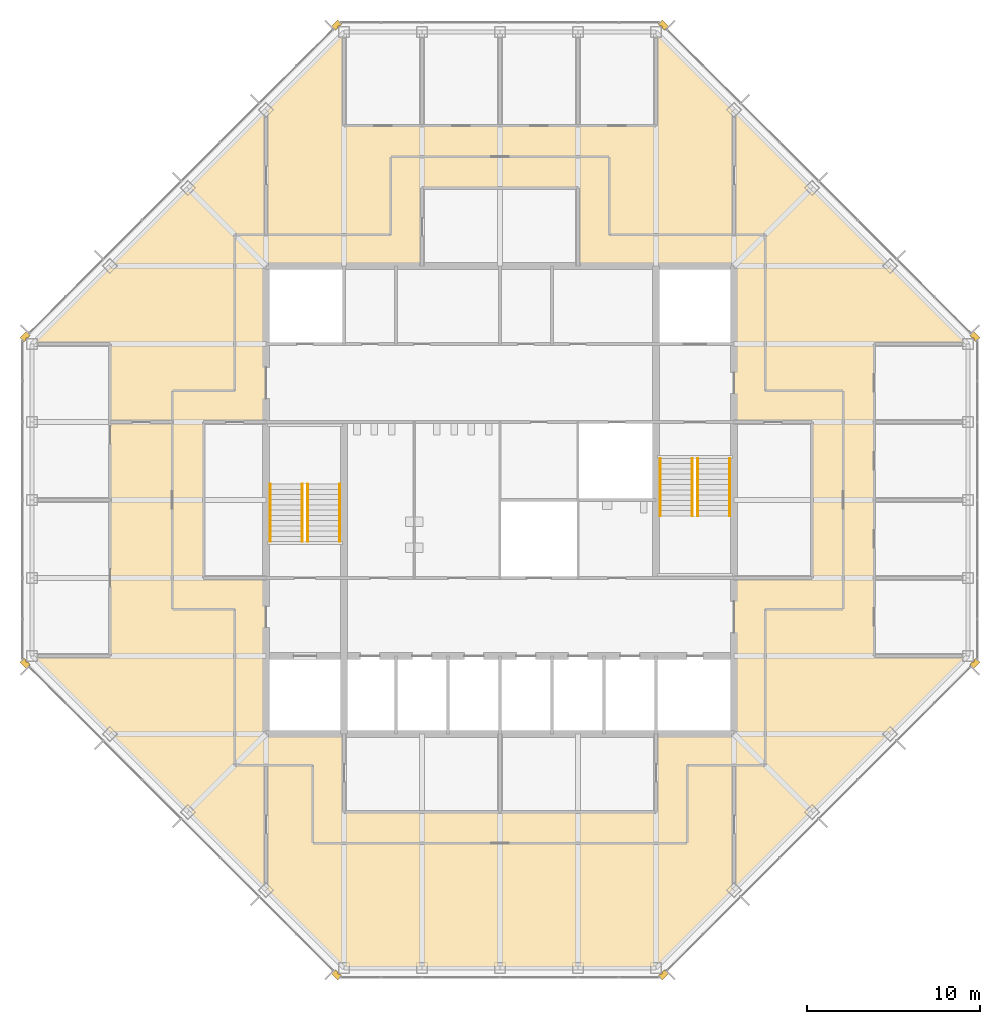
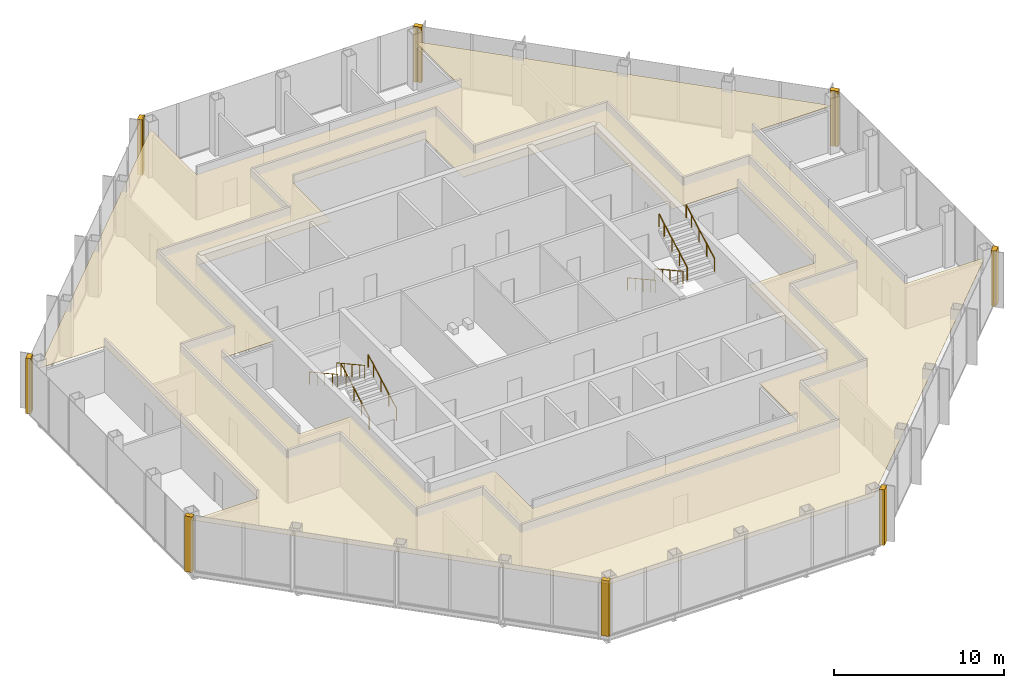
# One storey, part 13 of 14: 9 coverings, 8 railings.
"""IFC4 building model written with IfcOpenShell, lengths in metres."""

from ifc_helpers import new_model, si_unit, direction, frame, origin, origin_2d, place, context, subcontext, project, spatial, polyline, circle, outline, extrude, material, layer, layer_set, type_object, element, save


model = new_model("IFC4")

# Units and contexts
model_context = context("Model", 3, precision=1e-05, world=origin(), true_north=direction((0.0, 1.0)))
body_context = subcontext(model_context, "Body", "Model", "MODEL_VIEW")
ifc_project = project(units=[si_unit("LENGTHUNIT", "METRE"), si_unit("AREAUNIT", "SQUARE_METRE"), si_unit("VOLUMEUNIT", "CUBIC_METRE"), si_unit("PLANEANGLEUNIT", "RADIAN"), si_unit("MASSUNIT", "GRAM", prefix="KILO")], contexts=[model_context])

# Site, building, storey
site_placement = place(None, origin())
site = spatial("IfcSite", under=ifc_project, at=site_placement, CompositionType="ELEMENT")
building_placement = place(site_placement, origin())
building = spatial("IfcBuilding", under=site, at=building_placement, Name="Corais Broadcast Tower", CompositionType="ELEMENT")
storey_placement = place(building_placement, frame((0.0, 0.0, 218.60009765625)))
storey = spatial("IfcBuildingStorey", under=building, at=storey_placement, Name="L50", CompositionType="ELEMENT", Elevation=218.60009765625)

# Railings
ifc_material_1 = material(Name="Stainless steel handrail", Category="steel")
railing_type = type_object("IfcRailingType", Name="Handrail 920", PredefinedType="HANDRAIL", material=ifc_material_1)
for number, where, name in (
    (1, (17.75, 24.60009765625, 0.16650390625), "HR1 L50"),
    (2, (15.89990234375, 24.60009765625, 0.16650390625), "HR1 L50"),
):
    element("IfcRailing", number, at=place(storey_placement, frame(where)), inside=storey, type_object=railing_type, Name=name, PredefinedType="HANDRAIL", context=body_context, shape_type="SweptSolid", body=[
        extrude(circle(Radius=0.02392578125, at=origin_2d()), frame((0.0, 0.0, 0.89599609375), z_axis=(0.0, 0.875504475178, 0.483210010185), x_axis=(-1.0, 0.0, 0.0)), (0.0, 0.0, 1.0), 3.79443359375),
        extrude(circle(Radius=0.02099609375, at=origin_2d()), origin(), (0.0, 0.0, 1.0), 0.871826171875),
        extrude(circle(Radius=0.02099609375, at=origin_2d()), frame((0.0, 0.906005859375, 0.5)), (0.0, 0.0, 1.0), 0.871826171875),
        extrude(circle(Radius=0.02099609375, at=origin_2d()), frame((0.0, 1.81201171875, 1.0)), (0.0, 0.0, 1.0), 0.871826171875),
        extrude(circle(Radius=0.02099609375, at=origin_2d()), frame((0.0, 2.718017578125, 1.500244140625)), (0.0, 0.0, 1.0), 0.871826171875),
        extrude(circle(Radius=0.02099609375, at=origin_2d()), frame((0.0, 3.322021484375, 1.83349609375)), (0.0, 0.0, 1.0), 0.871826171875),
    ])
for number, where, name in (
    (3, (13.75, 27.922119140625, 2.16650390625), "HR1 L50"),
    (4, (15.60009765625, 27.922119140625, 2.16650390625), "HR1 L50"),
    (5, (36.25, 29.39990234375, 0.16650390625), "HR1 L50"),
    (6, (38.10009765625, 29.39990234375, 0.16650390625), "HR1 L50"),
):
    element("IfcRailing", number, at=place(storey_placement, frame(where)), inside=storey, type_object=railing_type, Name=name, PredefinedType="HANDRAIL", context=body_context, shape_type="SweptSolid", body=[
        extrude(circle(Radius=0.02392578125, at=origin_2d()), frame((0.0, 0.0, 0.89599609375), z_axis=(0.0, -0.875504475178, 0.483210010185), x_axis=(1.0, 0.0, 0.0)), (0.0, 0.0, 1.0), 3.79443359375),
        extrude(circle(Radius=0.02099609375, at=origin_2d()), origin(), (0.0, 0.0, 1.0), 0.871826171875),
        extrude(circle(Radius=0.02099609375, at=origin_2d()), frame((0.0, -0.906005859375, 0.5)), (0.0, 0.0, 1.0), 0.871826171875),
        extrude(circle(Radius=0.02099609375, at=origin_2d()), frame((0.0, -1.81201171875, 1.0)), (0.0, 0.0, 1.0), 0.871826171875),
        extrude(circle(Radius=0.02099609375, at=origin_2d()), frame((0.0, -2.718017578125, 1.500244140625)), (0.0, 0.0, 1.0), 0.871826171875),
        extrude(circle(Radius=0.02099609375, at=origin_2d()), frame((0.0, -3.322021484375, 1.83349609375)), (0.0, 0.0, 1.0), 0.871826171875),
    ])
for number, where, name in (
    (7, (40.25, 26.077880859375, 2.16650390625), "HR1 L50"),
    (8, (38.39990234375, 26.077880859375, 2.16650390625), "HR1 L50"),
):
    element("IfcRailing", number, at=place(storey_placement, frame(where)), inside=storey, type_object=railing_type, Name=name, PredefinedType="HANDRAIL", context=body_context, shape_type="SweptSolid", body=[
        extrude(circle(Radius=0.02392578125, at=origin_2d()), frame((0.0, 0.0, 0.89599609375), z_axis=(0.0, 0.875504475178, 0.483210010185), x_axis=(-1.0, 0.0, 0.0)), (0.0, 0.0, 1.0), 3.79443359375),
        extrude(circle(Radius=0.02099609375, at=origin_2d()), origin(), (0.0, 0.0, 1.0), 0.871826171875),
        extrude(circle(Radius=0.02099609375, at=origin_2d()), frame((0.0, 0.906005859375, 0.5)), (0.0, 0.0, 1.0), 0.871826171875),
        extrude(circle(Radius=0.02099609375, at=origin_2d()), frame((0.0, 1.81201171875, 1.0)), (0.0, 0.0, 1.0), 0.871826171875),
        extrude(circle(Radius=0.02099609375, at=origin_2d()), frame((0.0, 2.718017578125, 1.500244140625)), (0.0, 0.0, 1.0), 0.871826171875),
        extrude(circle(Radius=0.02099609375, at=origin_2d()), frame((0.0, 3.322021484375, 1.83349609375)), (0.0, 0.0, 1.0), 0.871826171875),
    ])

# Coverings
ifc_material_2 = material(Name="Granite stone cladding", Category="masonry")
ifc_layer_1 = layer(ifc_material_2, 0.324951171875)
ifc_layer_set_1 = layer_set([ifc_layer_1], Name="Granite stone cladding")
covering_type_1 = type_object("IfcCoveringType", Name="Stone corner pier cladding 500x325", PredefinedType="CLADDING", material=ifc_layer_set_1)
covering_1_placement = place(storey_placement, origin())
element("IfcCovering", 9, at=covering_1_placement, inside=storey, type_object=covering_type_1, Name="SP1 stone corner pier L50", PredefinedType="CLADDING", context=body_context, shape_type="SweptSolid", body=[
    extrude(outline(polyline([(17.860595703125, -0.461669921875), (17.7490234375, -0.35009765625), (17.64990234375, -0.35009765625), (17.64990234375, -0.2509765625), (17.507080078125, -0.108154296875), (17.277099609375, -0.337890625), (17.630859375, -0.69140625), (17.860595703125, -0.461669921875)])), origin(), (0.0, 0.0, 1.0), 4.0),
])
covering_2_placement = place(storey_placement, origin())
element("IfcCovering", 10, at=covering_2_placement, inside=storey, type_object=covering_type_1, Name="SP1 stone corner pier L50", PredefinedType="CLADDING", context=body_context, shape_type="SweptSolid", body=[
    extrude(outline(polyline([(-0.35009765625, 17.7490234375), (-0.461669921875, 17.860595703125), (-0.69140625, 17.630859375), (-0.337890625, 17.277099609375), (-0.108154296875, 17.507080078125), (-0.2509765625, 17.64990234375), (-0.35009765625, 17.64990234375), (-0.35009765625, 17.7490234375)])), origin(), (0.0, 0.0, 1.0), 4.0),
])
covering_3_placement = place(storey_placement, origin())
element("IfcCovering", 11, at=covering_3_placement, inside=storey, type_object=covering_type_1, Name="SP1 stone corner pier L50", PredefinedType="CLADDING", context=body_context, shape_type="SweptSolid", body=[
    extrude(outline(polyline([(-0.461669921875, 36.139404296875), (-0.35009765625, 36.2509765625), (-0.35009765625, 36.35009765625), (-0.2509765625, 36.35009765625), (-0.108154296875, 36.492919921875), (-0.337890625, 36.722900390625), (-0.69140625, 36.369140625), (-0.461669921875, 36.139404296875)])), origin(), (0.0, 0.0, 1.0), 4.0),
])
covering_4_placement = place(storey_placement, origin())
element("IfcCovering", 12, at=covering_4_placement, inside=storey, type_object=covering_type_1, Name="SP1 stone corner pier L50", PredefinedType="CLADDING", context=body_context, shape_type="SweptSolid", body=[
    extrude(outline(polyline([(17.7490234375, 54.35009765625), (17.860595703125, 54.461669921875), (17.630859375, 54.69140625), (17.277099609375, 54.337890625), (17.507080078125, 54.108154296875), (17.64990234375, 54.2509765625), (17.64990234375, 54.35009765625), (17.7490234375, 54.35009765625)])), origin(), (0.0, 0.0, 1.0), 4.0),
])
covering_5_placement = place(storey_placement, origin())
element("IfcCovering", 13, at=covering_5_placement, inside=storey, type_object=covering_type_1, Name="SP1 stone corner pier L50", PredefinedType="CLADDING", context=body_context, shape_type="SweptSolid", body=[
    extrude(outline(polyline([(36.139404296875, 54.461669921875), (36.2509765625, 54.35009765625), (36.35009765625, 54.35009765625), (36.35009765625, 54.2509765625), (36.492919921875, 54.108154296875), (36.722900390625, 54.337890625), (36.369140625, 54.69140625), (36.139404296875, 54.461669921875)])), origin(), (0.0, 0.0, 1.0), 4.0),
])
covering_6_placement = place(storey_placement, origin())
element("IfcCovering", 14, at=covering_6_placement, inside=storey, type_object=covering_type_1, Name="SP1 stone corner pier L50", PredefinedType="CLADDING", context=body_context, shape_type="SweptSolid", body=[
    extrude(outline(polyline([(54.35009765625, 36.2509765625), (54.461669921875, 36.139404296875), (54.69140625, 36.369140625), (54.337890625, 36.722900390625), (54.108154296875, 36.492919921875), (54.2509765625, 36.35009765625), (54.35009765625, 36.35009765625), (54.35009765625, 36.2509765625)])), origin(), (0.0, 0.0, 1.0), 4.0),
])
covering_7_placement = place(storey_placement, origin())
element("IfcCovering", 15, at=covering_7_placement, inside=storey, type_object=covering_type_1, Name="SP1 stone corner pier L50", PredefinedType="CLADDING", context=body_context, shape_type="SweptSolid", body=[
    extrude(outline(polyline([(54.461669921875, 17.860595703125), (54.35009765625, 17.7490234375), (54.35009765625, 17.64990234375), (54.2509765625, 17.64990234375), (54.108154296875, 17.507080078125), (54.337890625, 17.277099609375), (54.69140625, 17.630859375), (54.461669921875, 17.860595703125)])), origin(), (0.0, 0.0, 1.0), 4.0),
])
covering_8_placement = place(storey_placement, origin())
element("IfcCovering", 16, at=covering_8_placement, inside=storey, type_object=covering_type_1, Name="SP1 stone corner pier L50", PredefinedType="CLADDING", context=body_context, shape_type="SweptSolid", body=[
    extrude(outline(polyline([(36.2509765625, -0.35009765625), (36.139404296875, -0.461669921875), (36.369140625, -0.69140625), (36.722900390625, -0.337890625), (36.492919921875, -0.108154296875), (36.35009765625, -0.2509765625), (36.35009765625, -0.35009765625), (36.2509765625, -0.35009765625)])), origin(), (0.0, 0.0, 1.0), 4.0),
])
ifc_material_3 = material(Name="Mineral fibre ceiling tile", Category="mineral")
ifc_layer_2 = layer(ifc_material_3, 0.02001953125)
ifc_layer_set_2 = layer_set([ifc_layer_2], Name="Mineral fibre ceiling tile")
covering_type_2 = type_object("IfcCoveringType", Name="Suspended ceiling", PredefinedType="CEILING", material=ifc_layer_set_2)
covering_9_placement = place(storey_placement, frame((0.0, 0.0, 3.219970703125)))
element("IfcCovering", 17, at=covering_9_placement, inside=storey, type_object=covering_type_2, Name="CE1 ceiling L50", PredefinedType="CEILING", context=body_context, shape_type="SweptSolid", body=[
    extrude(outline(polyline([(13.5, 49.5), (18.0, 54.0), (18.0, 48.60009765625), (36.0, 48.60009765625), (36.0, 54.0), (54.0, 36.0), (48.60009765625, 36.0), (48.60009765625, 18.0), (54.0, 18.0), (40.500244140625, 4.500244140625), (36.0, 0.0), (18.0, 0.0), (13.501708984375, 4.498291015625), (13.50048828125, 4.49951171875), (13.499755859375, 4.500244140625), (0.0, 18.0), (4.5, 18.0), (4.5, 36.0), (0.0, 36.0), (13.5, 49.5)]), holes=[polyline([(40.5, 31.5), (40.5, 40.5), (31.5, 40.5), (31.5, 45.0), (22.5, 45.0), (22.5, 40.5), (13.5, 40.5), (13.5, 31.5), (9.89990234375, 31.5), (9.89990234375, 22.5), (13.5, 22.5), (13.5, 13.5), (18.0, 13.5), (18.0, 9.0), (36.0, 9.0), (36.0, 13.5), (40.5, 13.5), (40.5, 22.5), (45.0, 22.5), (45.0, 31.5), (40.5, 31.5)])]), origin(), (0.0, 0.0, 1.0), 0.02001953125),
])

save(model, "model.ifc")
